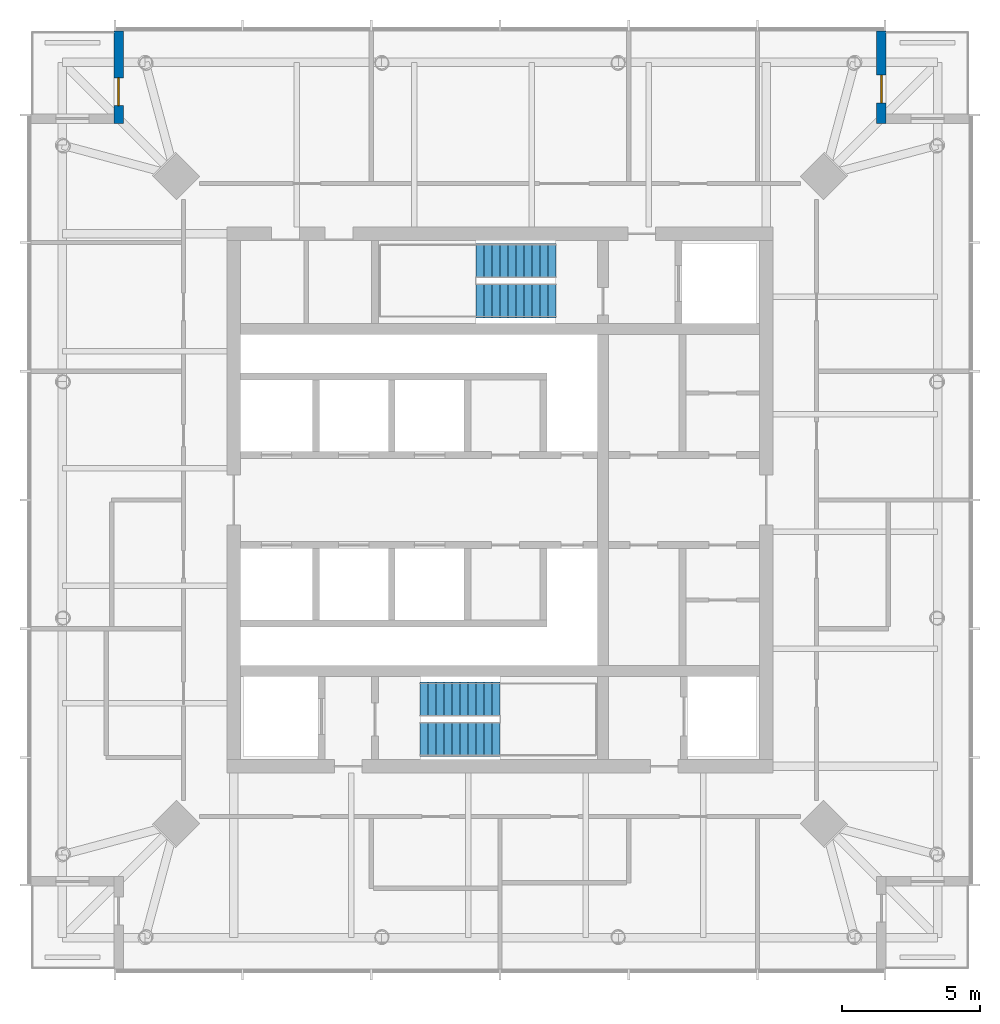
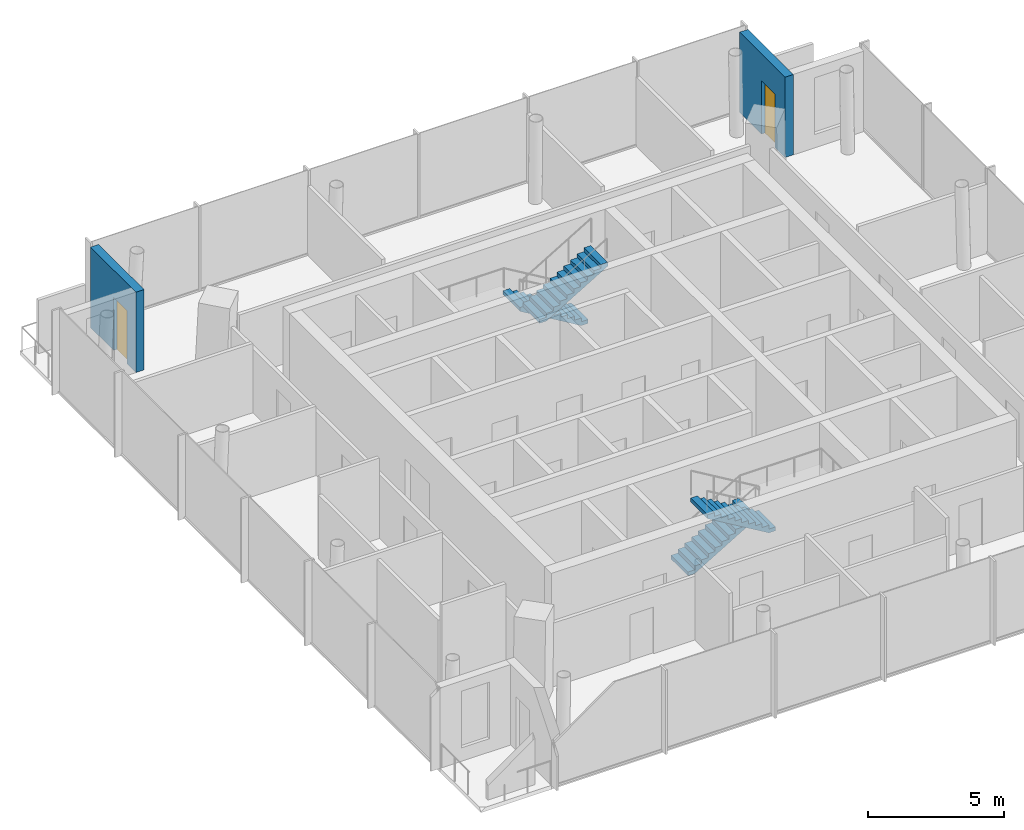
# One storey, part 6 of 7: 4 stair flights, 2 doors, 2 walls, 2 openings, 2 elements without a shape of their own.
"""IFC4 building model written with IfcOpenShell, lengths in metres."""

from ifc_helpers import new_model, si_unit, direction, frame, frame_2d, origin, place, context, subcontext, project, spatial, polyline, rectangle, outline, extrude, material, layer, layer_set, type_object, element, fill, aggregate, save


model = new_model("IFC4")

# Units and contexts
model_context = context("Model", 3, precision=1e-05, world=origin(), true_north=direction((0.0, 1.0)))
body_context = subcontext(model_context, "Body", "Model", "MODEL_VIEW")
ifc_project = project(units=[si_unit("LENGTHUNIT", "METRE"), si_unit("AREAUNIT", "SQUARE_METRE"), si_unit("VOLUMEUNIT", "CUBIC_METRE"), si_unit("PLANEANGLEUNIT", "RADIAN"), si_unit("MASSUNIT", "GRAM", prefix="KILO")], contexts=[model_context])

# Site, building, storey
site_placement = place(None, origin())
site = spatial("IfcSite", under=ifc_project, at=site_placement, CompositionType="ELEMENT")
building_placement = place(site_placement, origin())
building = spatial("IfcBuilding", under=site, at=building_placement, Name="Ostroluk Exchange", CompositionType="ELEMENT")
storey_placement = place(building_placement, frame((0.0, 0.0, 275.60009765625)))
storey = spatial("IfcBuildingStorey", under=building, at=storey_placement, Name="L71", CompositionType="ELEMENT", Elevation=275.60009765625)

# Wall, opening, door
ifc_material_1 = material(Name="Limestone", Category="masonry")
ifc_layer = layer(ifc_material_1, 0.35009765625)
ifc_layer_set = layer_set([ifc_layer], Name="Limestone facade wall 350")
wall_type = type_object("IfcWallType", Name="Limestone facade wall 350", PredefinedType="SOLIDWALL", material=ifc_layer_set)
wall_1_placement = place(storey_placement, frame((58.824951171875, 63.0, 0.0), z_axis=(0.0, 0.0, 1.0), x_axis=(0.0, -1.0, 0.0)))
wall_1 = element("IfcWall", 1, at=wall_1_placement, inside=storey, type_object=wall_type, Name="Office tower NE corner wall L71 a", PredefinedType="SOLIDWALL", context=body_context, shape_type="SweptSolid", body=[
    extrude(rectangle(XDim=3.35009765625, YDim=0.35009765625, at=frame_2d((1.675048828125, 0.0))), origin(), (0.0, 0.0, 1.0), 3.619873046875),
])
opening_1_placement = place(wall_1_placement, frame((1.60009765625, 0.0, 0.0)))
opening_1 = element("IfcOpeningElement", 2, at=opening_1_placement, cuts=wall_1, Name="Opening D-B1", PredefinedType="OPENING", context=body_context, shape_type="SweptSolid", body=[
    extrude(rectangle(XDim=1.0, YDim=2.39990234375, at=frame_2d((0.5, 1.199951171875))), frame((0.0, 0.18505859375, 0.0), z_axis=(0.0, -1.0, 0.0), x_axis=(1.0, 0.0, 0.0)), (0.0, 0.0, 1.0), 0.3701171875),
])
ifc_material_2 = material(Name="Bronze framed glazed door", Category="aluminium")
door_type = type_object("IfcDoorType", Name="Balcony door 1000 x 2400", OperationType="SINGLE_SWING_LEFT", PredefinedType="DOOR", material=ifc_material_2)
door_1_placement = place(opening_1_placement, origin())
door_1 = element("IfcDoor", 3, at=door_1_placement, inside=storey, type_object=door_type, Name="Office tower NE balcony door L71", OperationType="SINGLE_SWING_RIGHT", OverallHeight=2.39990234375, OverallWidth=1.0, PredefinedType="DOOR", context=body_context, shape_type="SweptSolid", body=[
    extrude(rectangle(XDim=1.0, YDim=2.39990234375, at=frame_2d((0.5, 1.199951171875))), frame((0.0, 0.02490234375, 0.0), z_axis=(0.0, -1.0, 0.0), x_axis=(1.0, 0.0, 0.0)), (0.0, 0.0, 1.0), 0.050048828125),
])
fill(opening_1, door_1)

wall_2_placement = place(storey_placement, frame((31.175048828125, 63.0, 0.0), z_axis=(0.0, 0.0, 1.0), x_axis=(0.0, -1.0, 0.0)))
wall_2 = element("IfcWall", 4, at=wall_2_placement, inside=storey, type_object=wall_type, Name="Office tower NW corner wall L71 a", PredefinedType="SOLIDWALL", context=body_context, shape_type="SweptSolid", body=[
    extrude(rectangle(XDim=3.35009765625, YDim=0.35009765625, at=frame_2d((1.675048828125, 0.0))), origin(), (0.0, 0.0, 1.0), 3.619873046875),
])
opening_2_placement = place(wall_2_placement, frame((1.699951171875, 0.0, 0.0)))
opening_2 = element("IfcOpeningElement", 5, at=opening_2_placement, cuts=wall_2, Name="Opening D-B1", PredefinedType="OPENING", context=body_context, shape_type="SweptSolid", body=[
    extrude(rectangle(XDim=1.0, YDim=2.39990234375, at=frame_2d((0.5, 1.199951171875))), frame((0.0, 0.18505859375, 0.0), z_axis=(0.0, -1.0, 0.0), x_axis=(1.0, 0.0, 0.0)), (0.0, 0.0, 1.0), 0.3701171875),
])
door_2_placement = place(opening_2_placement, origin())
door_2 = element("IfcDoor", 6, at=door_2_placement, inside=storey, type_object=door_type, Name="Office tower NW balcony door L71", OperationType="SINGLE_SWING_RIGHT", OverallHeight=2.39990234375, OverallWidth=1.0, PredefinedType="DOOR", context=body_context, shape_type="SweptSolid", body=[
    extrude(rectangle(XDim=1.0, YDim=2.39990234375, at=frame_2d((0.5, 1.199951171875))), frame((0.0, 0.02490234375, 0.0), z_axis=(0.0, -1.0, 0.0), x_axis=(1.0, 0.0, 0.0)), (0.0, 0.0, 1.0), 0.050048828125),
])
fill(opening_2, door_2)

# Stair, stair flights
ifc_material_3 = material(Name="Concrete C30/37", Category="concrete")
stair_type = type_object("IfcStairType", Name="Exit stair half turn 3800", PredefinedType="HALF_TURN_STAIR", material=ifc_material_3)
stair_1_placement = place(storey_placement, origin())
stair_1 = element("IfcStair", 7, at=stair_1_placement, inside=storey, type_object=stair_type, Name="Stair T1-S1 L71", PredefinedType="HALF_TURN_STAIR")
ifc_material_4 = material(Name="Concrete C30/37", Category="concrete")
stair_flight_type = type_object("IfcStairFlightType", Name="Stair flight 11 risers 172.7 x 290", PredefinedType="STRAIGHT", material=ifc_material_4)
stair_flight_1_placement = place(storey_placement, frame((42.10009765625, 38.77490234375, 0.0), z_axis=(0.0, 0.0, 1.0), x_axis=(1.0, 0.0, 0.0)))
stair_flight_1 = element("IfcStairFlight", 8, at=stair_flight_1_placement, type_object=stair_flight_type, Name="T1-S1 flight 1", NumberOfRisers=11, NumberOfTreads=10, PredefinedType="STRAIGHT", RiserHeight=0.172727273, TreadLength=0.29, context=body_context, shape_type="SweptSolid", body=[
    extrude(outline(polyline([(0.0, 0.0), (0.0, 0.172607421875), (0.2900390625, 0.172607421875), (0.2900390625, 0.345458984375), (0.580078125, 0.345458984375), (0.580078125, 0.51806640625), (0.8701171875, 0.51806640625), (0.8701171875, 0.69091796875), (1.159912109375, 0.69091796875), (1.159912109375, 0.863525390625), (1.449951171875, 0.863525390625), (1.449951171875, 1.036376953125), (1.739990234375, 1.036376953125), (1.739990234375, 1.208984375), (2.030029296875, 1.208984375), (2.030029296875, 1.3818359375), (2.320068359375, 1.3818359375), (2.320068359375, 1.554443359375), (2.610107421875, 1.554443359375), (2.610107421875, 1.727294921875), (2.89990234375, 1.727294921875), (2.89990234375, 1.89990234375), (2.89990234375, 1.552734375), (0.29296875, 0.0), (0.0, 0.0)])), frame((0.0, 0.625, 0.0), z_axis=(0.0, -1.0, 0.0), x_axis=(1.0, 0.0, 0.0)), (0.0, 0.0, 1.0), 1.25),
])
stair_flight_2_placement = place(storey_placement, frame((45.0, 37.324951171875, 1.89990234375), z_axis=(0.0, 0.0, 1.0), x_axis=(-1.0, 0.0, 0.0)))
stair_flight_2 = element("IfcStairFlight", 9, at=stair_flight_2_placement, type_object=stair_flight_type, Name="T1-S1 flight 2", NumberOfRisers=11, NumberOfTreads=10, PredefinedType="STRAIGHT", RiserHeight=0.172727273, TreadLength=0.29, context=body_context, shape_type="SweptSolid", body=[
    extrude(outline(polyline([(0.0, 0.0), (0.0, 0.172607421875), (0.2900390625, 0.172607421875), (0.2900390625, 0.345458984375), (0.580078125, 0.345458984375), (0.580078125, 0.51806640625), (0.8701171875, 0.51806640625), (0.8701171875, 0.69091796875), (1.159912109375, 0.69091796875), (1.159912109375, 0.863525390625), (1.449951171875, 0.863525390625), (1.449951171875, 1.036376953125), (1.739990234375, 1.036376953125), (1.739990234375, 1.208984375), (2.030029296875, 1.208984375), (2.030029296875, 1.3818359375), (2.320068359375, 1.3818359375), (2.320068359375, 1.554443359375), (2.610107421875, 1.554443359375), (2.610107421875, 1.727294921875), (2.89990234375, 1.727294921875), (2.89990234375, 1.89990234375), (2.89990234375, 1.552734375), (0.29296875, 0.0), (0.0, 0.0)])), frame((0.0, 0.625, 0.0), z_axis=(0.0, -1.0, 0.0), x_axis=(1.0, 0.0, 0.0)), (0.0, 0.0, 1.0), 1.25),
])
aggregate(stair_1, [stair_flight_1, stair_flight_2])

stair_2_placement = place(storey_placement, origin())
stair_2 = element("IfcStair", 10, at=stair_2_placement, inside=storey, type_object=stair_type, Name="Stair T1-S2 L71", PredefinedType="HALF_TURN_STAIR")
stair_flight_3_placement = place(storey_placement, frame((47.030029296875, 54.675048828125, 0.0), z_axis=(0.0, 0.0, 1.0), x_axis=(-1.0, 0.0, 0.0)))
stair_flight_3 = element("IfcStairFlight", 11, at=stair_flight_3_placement, type_object=stair_flight_type, Name="T1-S2 flight 1", NumberOfRisers=11, NumberOfTreads=10, PredefinedType="STRAIGHT", RiserHeight=0.172727273, TreadLength=0.29, context=body_context, shape_type="SweptSolid", body=[
    extrude(outline(polyline([(0.0, 0.0), (0.0, 0.172607421875), (0.2900390625, 0.172607421875), (0.2900390625, 0.345458984375), (0.580078125, 0.345458984375), (0.580078125, 0.51806640625), (0.8701171875, 0.51806640625), (0.8701171875, 0.69091796875), (1.159912109375, 0.69091796875), (1.159912109375, 0.863525390625), (1.449951171875, 0.863525390625), (1.449951171875, 1.036376953125), (1.739990234375, 1.036376953125), (1.739990234375, 1.208984375), (2.030029296875, 1.208984375), (2.030029296875, 1.3818359375), (2.320068359375, 1.3818359375), (2.320068359375, 1.554443359375), (2.610107421875, 1.554443359375), (2.610107421875, 1.727294921875), (2.89990234375, 1.727294921875), (2.89990234375, 1.89990234375), (2.89990234375, 1.552734375), (0.29296875, 0.0), (0.0, 0.0)])), frame((0.0, 0.625, 0.0), z_axis=(0.0, -1.0, 0.0), x_axis=(1.0, 0.0, 0.0)), (0.0, 0.0, 1.0), 1.25),
])
stair_flight_4_placement = place(storey_placement, frame((44.1298828125, 53.22509765625, 1.89990234375), z_axis=(0.0, 0.0, 1.0), x_axis=(1.0, 0.0, 0.0)))
stair_flight_4 = element("IfcStairFlight", 12, at=stair_flight_4_placement, type_object=stair_flight_type, Name="T1-S2 flight 2", NumberOfRisers=11, NumberOfTreads=10, PredefinedType="STRAIGHT", RiserHeight=0.172727273, TreadLength=0.29, context=body_context, shape_type="SweptSolid", body=[
    extrude(outline(polyline([(0.0, 0.0), (0.0, 0.172607421875), (0.2900390625, 0.172607421875), (0.2900390625, 0.345458984375), (0.580078125, 0.345458984375), (0.580078125, 0.51806640625), (0.8701171875, 0.51806640625), (0.8701171875, 0.69091796875), (1.159912109375, 0.69091796875), (1.159912109375, 0.863525390625), (1.449951171875, 0.863525390625), (1.449951171875, 1.036376953125), (1.739990234375, 1.036376953125), (1.739990234375, 1.208984375), (2.030029296875, 1.208984375), (2.030029296875, 1.3818359375), (2.320068359375, 1.3818359375), (2.320068359375, 1.554443359375), (2.610107421875, 1.554443359375), (2.610107421875, 1.727294921875), (2.89990234375, 1.727294921875), (2.89990234375, 1.89990234375), (2.89990234375, 1.552734375), (0.29296875, 0.0), (0.0, 0.0)])), frame((0.0, 0.625, 0.0), z_axis=(0.0, -1.0, 0.0), x_axis=(1.0, 0.0, 0.0)), (0.0, 0.0, 1.0), 1.25),
])
aggregate(stair_2, [stair_flight_3, stair_flight_4])

save(model, "model.ifc")
